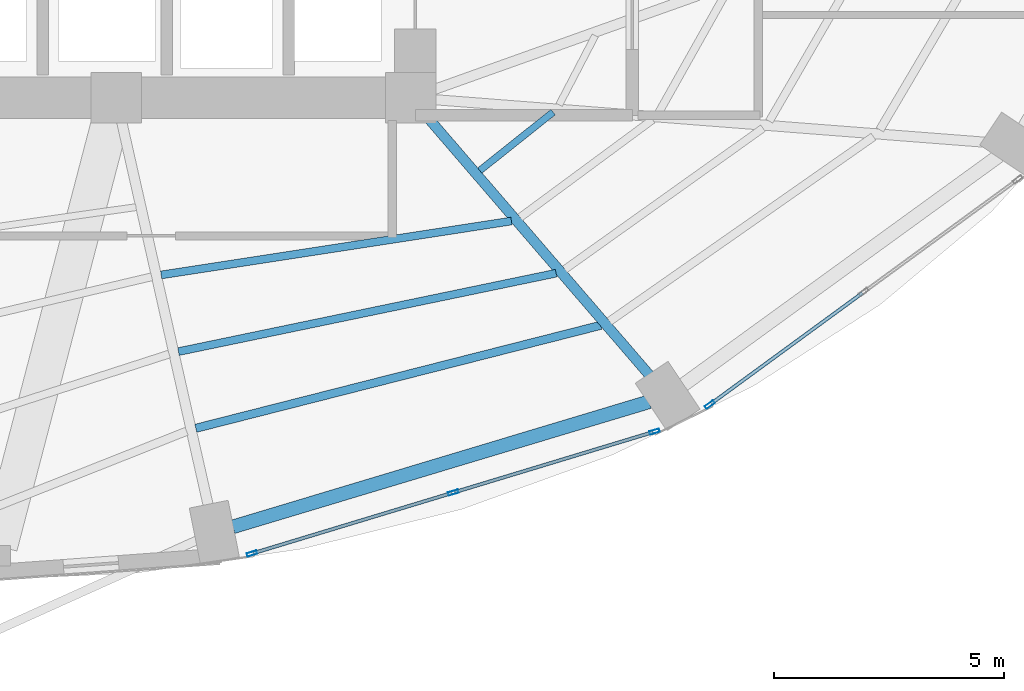
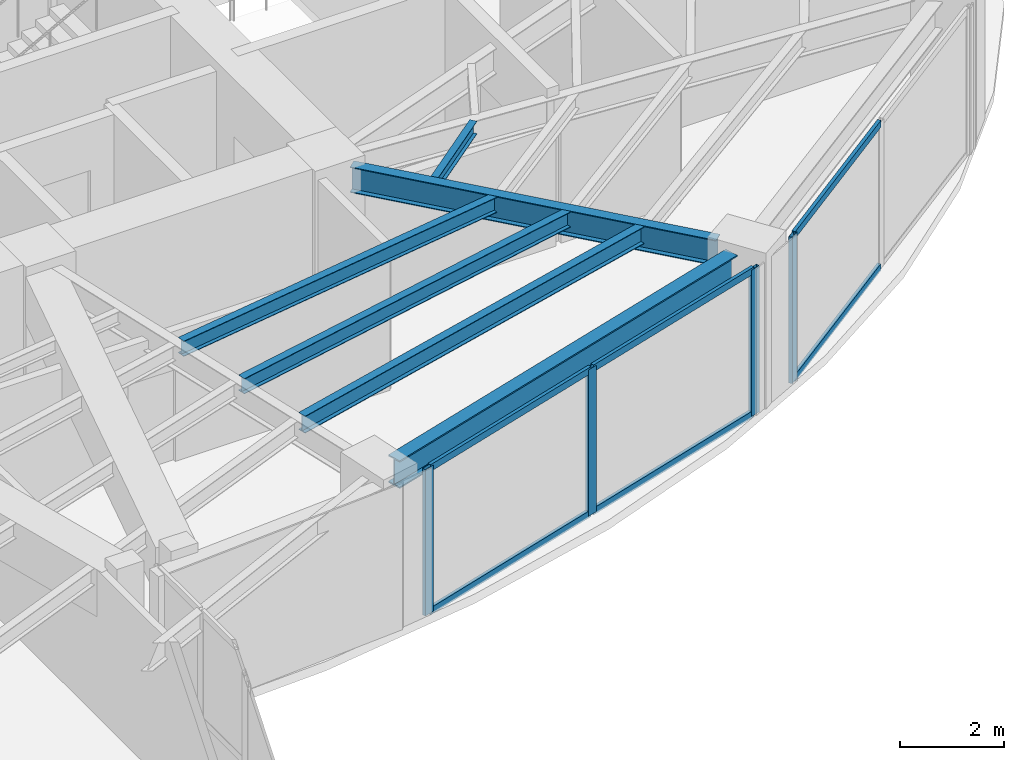
# One storey, part 10 of 25: 10 members, 6 beams, 2 elements without a shape of their own.
"""IFC4 building model written with IfcOpenShell, lengths in metres."""

from ifc_helpers import new_model, si_unit, direction, frame, origin, origin_2d, place, context, subcontext, project, spatial, hollow_rectangle, i_section, extrude, material, layer, layer_set, material_profile, profile_set, type_object, element, aggregate, save


model = new_model("IFC4")

# Units and contexts
model_context = context("Model", 3, precision=1e-05, world=origin(), true_north=direction((0.0, 1.0)))
body_context = subcontext(model_context, "Body", "Model", "MODEL_VIEW")
ifc_project = project(units=[si_unit("LENGTHUNIT", "METRE"), si_unit("AREAUNIT", "SQUARE_METRE"), si_unit("VOLUMEUNIT", "CUBIC_METRE"), si_unit("PLANEANGLEUNIT", "RADIAN"), si_unit("MASSUNIT", "GRAM", prefix="KILO")], contexts=[model_context])

# Site, building, storey
site_placement = place(None, origin())
site = spatial("IfcSite", under=ifc_project, at=site_placement, CompositionType="ELEMENT")
building_placement = place(site_placement, origin())
building = spatial("IfcBuilding", under=site, at=building_placement, Name="Lazwardi Medical Tower", CompositionType="ELEMENT")
storey_placement = place(building_placement, frame((0.0, 0.0, 43.43994140625)))
storey = spatial("IfcBuildingStorey", under=building, at=storey_placement, Name="L10", CompositionType="ELEMENT", Elevation=43.43994140625)

# Beams
ifc_material_1 = material(Name="Steel S355", Category="steel")
ifc_material_profile_1 = material_profile(ifc_material_1, i_section(OverallWidth=0.300048828125, OverallDepth=0.64990234375, WebThickness=0.01611328125, FlangeThickness=0.031005859375, at=origin_2d()), Name="HEB 650")
ifc_profile_set_1 = profile_set([ifc_material_profile_1], Name="Steel S355")
beam_type_1 = type_object("IfcBeamType", Name="BM-RB-Z1", PredefinedType="BEAM", material=ifc_profile_set_1)
beam_1_placement = place(storey_placement, frame((41.73291015625, 11.076904296875, 3.10302734375), z_axis=(0.957695289269, 0.287784177662, 0.0), x_axis=(-0.287784177662, 0.957695289269, 0.0)))
element("IfcBeam", 1, at=beam_1_placement, inside=storey, type_object=beam_type_1, Name="Ring beam RB-02 B01 L10", PredefinedType="BEAM", context=body_context, shape_type="SweptSolid", body=[
    extrude(i_section(OverallWidth=0.300048828125, OverallDepth=0.64990234375, WebThickness=0.01611328125, FlangeThickness=0.031005859375, at=origin_2d()), origin(), (0.0, 0.0, 1.0), 9.445556640625),
])
ifc_material_profile_2 = material_profile(ifc_material_1, i_section(OverallWidth=0.219970703125, OverallDepth=0.60009765625, WebThickness=0.011962890625, FlangeThickness=0.01904296875, at=origin_2d()), Name="IPE 600")
ifc_profile_set_2 = profile_set([ifc_material_profile_2], Name="Steel S355")
beam_type_2 = type_object("IfcBeamType", Name="BM-RG-W1", PredefinedType="BEAM", material=ifc_profile_set_2)
beam_2_placement = place(storey_placement, frame((50.802490234375, 14.355712890625, 3.128173828125), z_axis=(-0.652368190463, 0.757902199543, 0.0), x_axis=(-0.757902199543, -0.652368190463, 0.0)))
element("IfcBeam", 2, at=beam_2_placement, inside=storey, type_object=beam_type_2, Name="Radial girder RG-02 R02 L10", PredefinedType="BEAM", context=body_context, shape_type="SweptSolid", body=[
    extrude(i_section(OverallWidth=0.219970703125, OverallDepth=0.60009765625, WebThickness=0.011962890625, FlangeThickness=0.01904296875, at=origin_2d()), origin(), (0.0, 0.0, 1.0), 7.43994140625),
])
ifc_material_profile_3 = material_profile(ifc_material_1, i_section(OverallWidth=0.179931640625, OverallDepth=0.39990234375, WebThickness=0.008544921875, FlangeThickness=0.013427734375, at=origin_2d()), Name="IPE 400")
ifc_profile_set_3 = profile_set([ifc_material_profile_3], Name="Steel S355")
beam_type_3 = type_object("IfcBeamType", Name="BM-SJ-01", PredefinedType="JOIST", material=ifc_profile_set_3)
beam_3_placement = place(storey_placement, frame((40.927734375, 13.218994140625, 3.22802734375), z_axis=(0.969151012048, 0.246467677081, 0.0), x_axis=(-0.246467677081, 0.969151012048, 0.0)))
element("IfcBeam", 3, at=beam_3_placement, inside=storey, type_object=beam_type_3, Name="Secondary joist SJ-01 R1 B01 L10", PredefinedType="JOIST", context=body_context, shape_type="SweptSolid", body=[
    extrude(i_section(OverallWidth=0.179931640625, OverallDepth=0.39990234375, WebThickness=0.008544921875, FlangeThickness=0.013427734375, at=origin_2d()), origin(), (0.0, 0.0, 1.0), 9.08251953125),
])
ifc_material_profile_4 = material_profile(ifc_material_1, i_section(OverallWidth=0.169921875, OverallDepth=0.360107421875, WebThickness=0.008056640625, FlangeThickness=0.0126953125, at=origin_2d()), Name="IPE 360")
ifc_profile_set_4 = profile_set([ifc_material_profile_4], Name="Steel S355")
beam_type_4 = type_object("IfcBeamType", Name="BM-SJ-02", PredefinedType="JOIST", material=ifc_profile_set_4)
beam_4_placement = place(storey_placement, frame((40.5517578125, 14.885498046875, 3.248046875), z_axis=(0.979107693723, 0.203342381445, 0.0), x_axis=(-0.203342381445, 0.979107693723, 0.0)))
element("IfcBeam", 4, at=beam_4_placement, inside=storey, type_object=beam_type_4, Name="Secondary joist SJ-02 R2 B01 L10", PredefinedType="JOIST", context=body_context, shape_type="SweptSolid", body=[
    extrude(i_section(OverallWidth=0.169921875, OverallDepth=0.360107421875, WebThickness=0.008056640625, FlangeThickness=0.0126953125, at=origin_2d()), origin(), (0.0, 0.0, 1.0), 8.381591796875),
])
beam_5_placement = place(storey_placement, frame((40.175537109375, 16.551513671875, 3.248046875), z_axis=(0.988362899594, 0.152114360618, 0.0), x_axis=(-0.152114360618, 0.988362899594, 0.0)))
element("IfcBeam", 5, at=beam_5_placement, inside=storey, type_object=beam_type_4, Name="Secondary joist SJ-02 R3 B01 L10", PredefinedType="JOIST", context=body_context, shape_type="SweptSolid", body=[
    extrude(i_section(OverallWidth=0.169921875, OverallDepth=0.360107421875, WebThickness=0.008056640625, FlangeThickness=0.0126953125, at=origin_2d()), origin(), (0.0, 0.0, 1.0), 7.70068359375),
])
ifc_material_profile_5 = material_profile(ifc_material_1, i_section(OverallWidth=0.14990234375, OverallDepth=0.300048828125, WebThickness=0.007080078125, FlangeThickness=0.0107421875, at=origin_2d()), Name="IPE 300")
ifc_profile_set_5 = profile_set([ifc_material_profile_5], Name="Steel S355")
beam_type_5 = type_object("IfcBeamType", Name="BM-SJ-03", PredefinedType="JOIST", material=ifc_profile_set_5)
beam_6_placement = place(storey_placement, frame((47.098876953125, 18.8193359375, 3.278076171875), z_axis=(0.782210957226, 0.623013658274, 0.0), x_axis=(-0.623013658274, 0.782210957226, 0.0)))
element("IfcBeam", 6, at=beam_6_placement, inside=storey, type_object=beam_type_5, Name="Secondary joist SJ-03 R4 B02 L10", PredefinedType="JOIST", context=body_context, shape_type="SweptSolid", body=[
    extrude(i_section(OverallWidth=0.14990234375, OverallDepth=0.300048828125, WebThickness=0.007080078125, FlangeThickness=0.0107421875, at=origin_2d()), origin(), (0.0, 0.0, 1.0), 2.0380859375),
])

# Curtain wall, members
ifc_material_2 = material(Name="Anodised bronze aluminium and solar control glazing", Category="aluminium")
ifc_layer = layer(ifc_material_2, 0.199951171875)
ifc_layer_set = layer_set([ifc_layer], Name="Anodised bronze aluminium and solar control glazing")
curtain_wall_type = type_object("IfcCurtainWallType", Name="CW-SYS-02", PredefinedType="NOTDEFINED", material=ifc_layer_set)
curtain_wall_1_placement = place(storey_placement, origin())
curtain_wall_1 = element("IfcCurtainWall", 7, at=curtain_wall_1_placement, inside=storey, type_object=curtain_wall_type, Name="L10 Unitised bronze curtain wall CW-02", PredefinedType="NOTDEFINED")
ifc_material_3 = material(Name="Anodised bronze aluminium", Category="aluminium")
ifc_material_profile_6 = material_profile(ifc_material_3, hollow_rectangle(XDim=0.074951171875, YDim=0.219970703125, WallThickness=0.00390625, at=origin_2d()), Name="ALU-MULLION 220x75x4")
ifc_profile_set_6 = profile_set([ifc_material_profile_6], Name="Anodised bronze aluminium")
member_type_1 = type_object("IfcMemberType", Name="CW-MUL-01", PredefinedType="MULLION", material=ifc_profile_set_6)
member_1_placement = place(storey_placement, frame((42.14794921875, 10.496337890625, 0.0), z_axis=(0.0, 0.0, 1.0), x_axis=(-0.2898956909, 0.957058247129, 0.0)))
member_1 = element("IfcMember", 8, at=member_1_placement, type_object=member_type_1, Name="CW-02 mullion 1", PredefinedType="MULLION", context=body_context, shape_type="SweptSolid", body=[
    extrude(hollow_rectangle(XDim=0.074951171875, YDim=0.219970703125, WallThickness=0.00390625, at=origin_2d()), origin(), (0.0, 0.0, 1.0), 3.427978515625),
])
member_2_placement = place(storey_placement, frame((46.523193359375, 11.821533203125, 0.0), z_axis=(0.0, 0.0, 1.0), x_axis=(-0.2898956909, 0.957058247129, 0.0)))
member_2 = element("IfcMember", 9, at=member_2_placement, type_object=member_type_1, Name="CW-02 mullion 2", PredefinedType="MULLION", context=body_context, shape_type="SweptSolid", body=[
    extrude(hollow_rectangle(XDim=0.074951171875, YDim=0.219970703125, WallThickness=0.00390625, at=origin_2d()), origin(), (0.0, 0.0, 1.0), 3.427978515625),
])
member_3_placement = place(storey_placement, frame((50.8984375, 13.146728515625, 0.0), z_axis=(0.0, 0.0, 1.0), x_axis=(-0.2898956909, 0.957058247129, 0.0)))
member_3 = element("IfcMember", 10, at=member_3_placement, type_object=member_type_1, Name="CW-02 mullion 3", PredefinedType="MULLION", context=body_context, shape_type="SweptSolid", body=[
    extrude(hollow_rectangle(XDim=0.074951171875, YDim=0.219970703125, WallThickness=0.00390625, at=origin_2d()), origin(), (0.0, 0.0, 1.0), 3.427978515625),
])

# Curtain wall, member
curtain_wall_2_placement = place(storey_placement, origin())
curtain_wall_2 = element("IfcCurtainWall", 11, at=curtain_wall_2_placement, inside=storey, type_object=curtain_wall_type, Name="L10 Unitised bronze curtain wall CW-02", PredefinedType="NOTDEFINED")
member_4_placement = place(storey_placement, frame((52.0986328125, 13.73388671875, 0.0), z_axis=(0.0, 0.0, 1.0), x_axis=(-0.590289307341, 0.807191757663, 0.0)))
member_4 = element("IfcMember", 12, at=member_4_placement, type_object=member_type_1, Name="CW-02 mullion 1", PredefinedType="MULLION", context=body_context, shape_type="SweptSolid", body=[
    extrude(hollow_rectangle(XDim=0.074951171875, YDim=0.219970703125, WallThickness=0.00390625, at=origin_2d()), origin(), (0.0, 0.0, 1.0), 3.427978515625),
])

# Member
ifc_material_profile_7 = material_profile(ifc_material_3, hollow_rectangle(XDim=0.074951171875, YDim=0.159912109375, WallThickness=0.00390625, at=origin_2d()), Name="ALU-TRANSOM 160x75x4")
ifc_profile_set_7 = profile_set([ifc_material_profile_7], Name="Anodised bronze aluminium")
member_type_2 = type_object("IfcMemberType", Name="CW-TRN-01", PredefinedType="USERDEFINED", material=ifc_profile_set_7)
member_5_placement = place(storey_placement, frame((42.183837890625, 10.507080078125, 0.03759765625), z_axis=(0.957047233423, 0.28993204893, 0.0), x_axis=(-0.28993204893, 0.957047233423, 0.0)))
member_5 = element("IfcMember", 13, at=member_5_placement, type_object=member_type_2, Name="CW-02 transom 1.1", ObjectType="TRANSOM", PredefinedType="USERDEFINED", context=body_context, shape_type="SweptSolid", body=[
    extrude(hollow_rectangle(XDim=0.074951171875, YDim=0.159912109375, WallThickness=0.00390625, at=origin_2d()), origin(), (0.0, 0.0, 1.0), 4.49658203125),
])

member_6_placement = place(storey_placement, frame((42.183837890625, 10.507080078125, 3.390625), z_axis=(0.957047233423, 0.28993204893, 0.0), x_axis=(-0.28993204893, 0.957047233423, 0.0)))
member_6 = element("IfcMember", 14, at=member_6_placement, type_object=member_type_2, Name="CW-02 transom 1.2", ObjectType="TRANSOM", PredefinedType="USERDEFINED", context=body_context, shape_type="SweptSolid", body=[
    extrude(hollow_rectangle(XDim=0.074951171875, YDim=0.159912109375, WallThickness=0.00390625, at=origin_2d()), origin(), (0.0, 0.0, 1.0), 4.49658203125),
])

member_7_placement = place(storey_placement, frame((46.55908203125, 11.83251953125, 0.03759765625), z_axis=(0.957062297904, 0.289882317383, 0.0), x_axis=(-0.289882317383, 0.957062297904, 0.0)))
member_7 = element("IfcMember", 15, at=member_7_placement, type_object=member_type_2, Name="CW-02 transom 2.1", ObjectType="TRANSOM", PredefinedType="USERDEFINED", context=body_context, shape_type="SweptSolid", body=[
    extrude(hollow_rectangle(XDim=0.074951171875, YDim=0.159912109375, WallThickness=0.00390625, at=origin_2d()), origin(), (0.0, 0.0, 1.0), 4.49658203125),
])

member_8_placement = place(storey_placement, frame((46.55908203125, 11.83251953125, 3.390625), z_axis=(0.957062297904, 0.289882317383, 0.0), x_axis=(-0.289882317383, 0.957062297904, 0.0)))
member_8 = element("IfcMember", 16, at=member_8_placement, type_object=member_type_2, Name="CW-02 transom 2.2", ObjectType="TRANSOM", PredefinedType="USERDEFINED", context=body_context, shape_type="SweptSolid", body=[
    extrude(hollow_rectangle(XDim=0.074951171875, YDim=0.159912109375, WallThickness=0.00390625, at=origin_2d()), origin(), (0.0, 0.0, 1.0), 4.49658203125),
])

aggregate(curtain_wall_1, [member_1, member_2, member_3, member_5, member_6, member_7, member_8])

member_9_placement = place(storey_placement, frame((52.12890625, 13.756103515625, 0.03759765625), z_axis=(0.807197636578, 0.590281268128, 0.0), x_axis=(-0.590281268128, 0.807197636578, 0.0)))
member_9 = element("IfcMember", 17, at=member_9_placement, type_object=member_type_2, Name="CW-02 transom 1.1", ObjectType="TRANSOM", PredefinedType="USERDEFINED", context=body_context, shape_type="SweptSolid", body=[
    extrude(hollow_rectangle(XDim=0.074951171875, YDim=0.159912109375, WallThickness=0.00390625, at=origin_2d()), origin(), (0.0, 0.0, 1.0), 4.06982421875),
])

member_10_placement = place(storey_placement, frame((52.12890625, 13.756103515625, 3.390625), z_axis=(0.807197636578, 0.590281268128, 0.0), x_axis=(-0.590281268128, 0.807197636578, 0.0)))
member_10 = element("IfcMember", 18, at=member_10_placement, type_object=member_type_2, Name="CW-02 transom 1.2", ObjectType="TRANSOM", PredefinedType="USERDEFINED", context=body_context, shape_type="SweptSolid", body=[
    extrude(hollow_rectangle(XDim=0.074951171875, YDim=0.159912109375, WallThickness=0.00390625, at=origin_2d()), origin(), (0.0, 0.0, 1.0), 4.06982421875),
])

aggregate(curtain_wall_2, [member_4, member_9, member_10])

save(model, "model.ifc")
